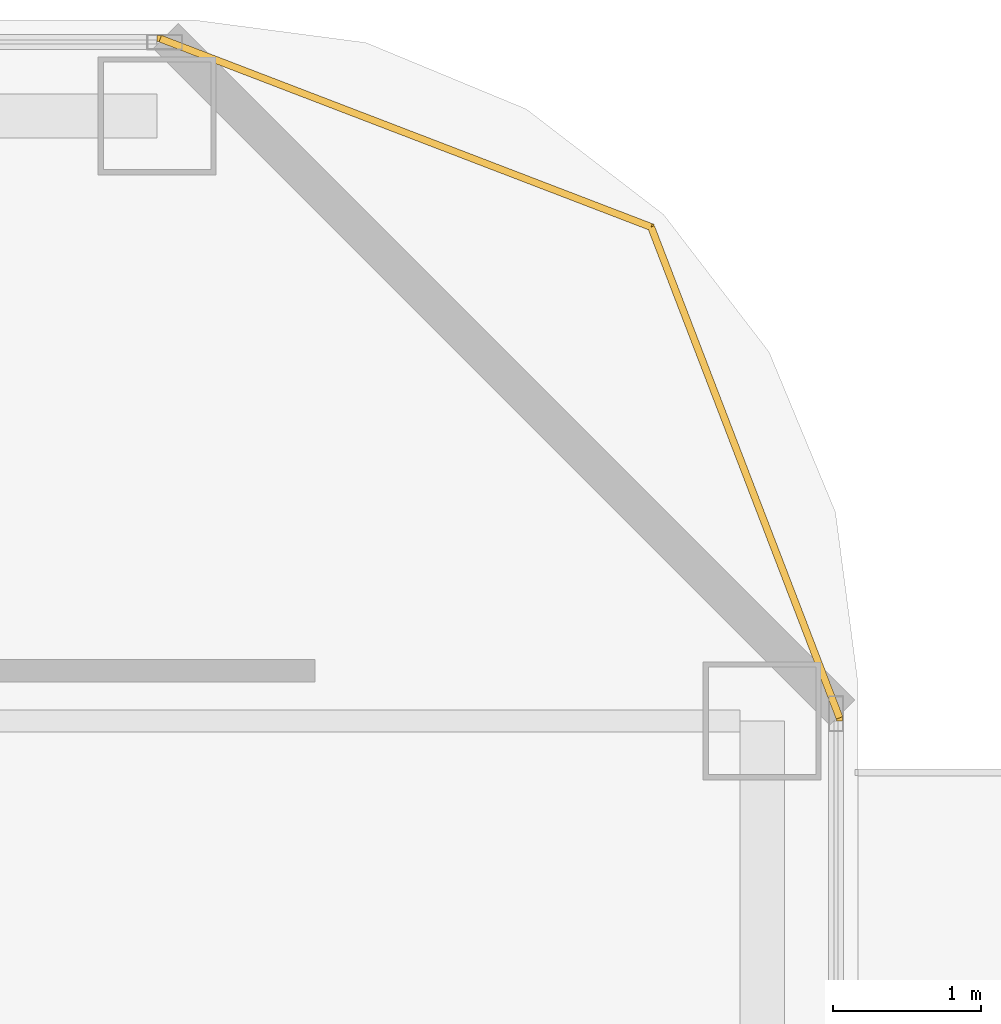
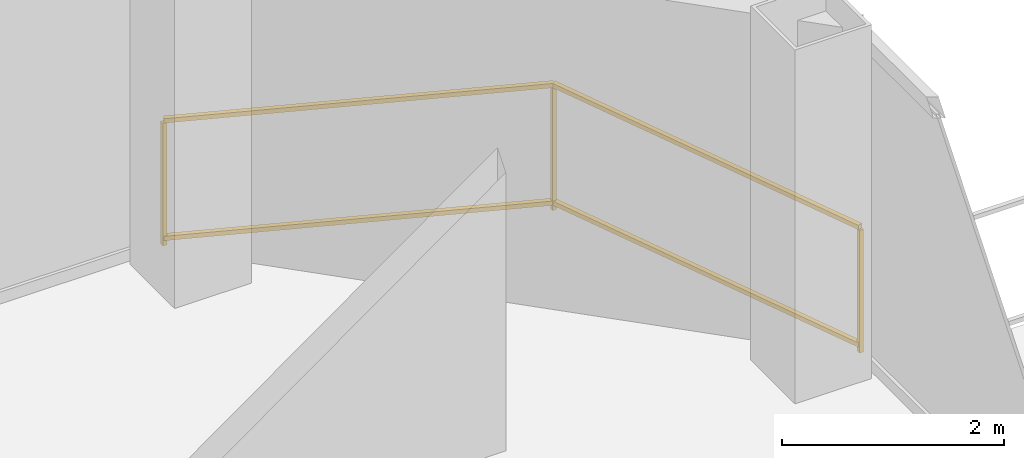
# One storey, part 29 of 29: 1 railing.
"""IFC4 building model written with IfcOpenShell, lengths in metres."""

from ifc_helpers import new_model, si_unit, direction, frame, origin, origin_2d, place, context, subcontext, project, spatial, rectangle, extrude, material, type_object, element, save


model = new_model("IFC4")

# Units and contexts
model_context = context("Model", 3, precision=1e-05, world=origin(), true_north=direction((0.0, 1.0)))
body_context = subcontext(model_context, "Body", "Model", "MODEL_VIEW")
ifc_project = project(units=[si_unit("LENGTHUNIT", "METRE"), si_unit("AREAUNIT", "SQUARE_METRE"), si_unit("VOLUMEUNIT", "CUBIC_METRE"), si_unit("PLANEANGLEUNIT", "RADIAN"), si_unit("MASSUNIT", "GRAM", prefix="KILO")], contexts=[model_context])

# Site, building, storey
site_placement = place(None, origin())
site = spatial("IfcSite", under=ifc_project, at=site_placement, CompositionType="ELEMENT")
building_placement = place(site_placement, origin())
building = spatial("IfcBuilding", under=site, at=building_placement, Name="Khorvyn Point Tower", CompositionType="ELEMENT")
storey_placement = place(building_placement, frame((0.0, 0.0, 73.5)))
storey = spatial("IfcBuildingStorey", under=building, at=storey_placement, Name="L19", CompositionType="ELEMENT", Elevation=73.5)

# Railing
ifc_material = material(Name="Anodised aluminium 6063-T6 and laminated safety glass", Category="aluminium")
railing_type = type_object("IfcRailingType", Name="Laminated Glass and Aluminium Balcony Guardrail 1400", PredefinedType="BALUSTRADE", material=ifc_material)
railing_placement = place(storey_placement, frame((22.174072265625, 20.470703125, 0.0)))
element("IfcRailing", 1, at=railing_placement, inside=storey, type_object=railing_type, Name="L19 Rounded Corner Edge Guardrail NE", PredefinedType="BALUSTRADE", context=body_context, shape_type="SweptSolid", body=[
    extrude(rectangle(XDim=0.048095703125, YDim=0.048095703125, at=origin_2d()), frame((0.0, 0.0, 1.3759765625), z_axis=(-0.358359142172, 0.933583807283, 0.0), x_axis=(-0.933583807283, -0.358359142172, 0.0)), (0.0, 0.0, 1.0), 3.56298828125),
    extrude(rectangle(XDim=0.048095703125, YDim=0.048095703125, at=origin_2d()), frame((0.0, 0.0, 0.080078125), z_axis=(-0.358359142172, 0.933583807283, 0.0), x_axis=(-0.933583807283, -0.358359142172, 0.0)), (0.0, 0.0, 1.0), 3.56298828125),
    extrude(rectangle(XDim=0.048095703125, YDim=0.048095703125, at=origin_2d()), frame((-1.27685546875, 3.326416015625, 1.3759765625), z_axis=(-0.933583807283, 0.358359142172, 0.0), x_axis=(-0.358359142172, -0.933583807283, 0.0)), (0.0, 0.0, 1.0), 3.56298828125),
    extrude(rectangle(XDim=0.048095703125, YDim=0.048095703125, at=origin_2d()), frame((-1.27685546875, 3.326416015625, 0.080078125), z_axis=(-0.933583807283, 0.358359142172, 0.0), x_axis=(-0.358359142172, -0.933583807283, 0.0)), (0.0, 0.0, 1.0), 3.56298828125),
    extrude(rectangle(XDim=0.0419921875, YDim=0.0419921875, at=origin_2d()), origin(), (0.0, 0.0, 1.0), 1.351806640625),
    extrude(rectangle(XDim=0.0419921875, YDim=0.0419921875, at=origin_2d()), frame((-1.27685546875, 3.326416015625, 0.0)), (0.0, 0.0, 1.0), 1.351806640625),
    extrude(rectangle(XDim=0.0419921875, YDim=0.0419921875, at=origin_2d()), frame((-4.603271484375, 4.603271484375, 0.0)), (0.0, 0.0, 1.0), 1.351806640625),
])

save(model, "model.ifc")
